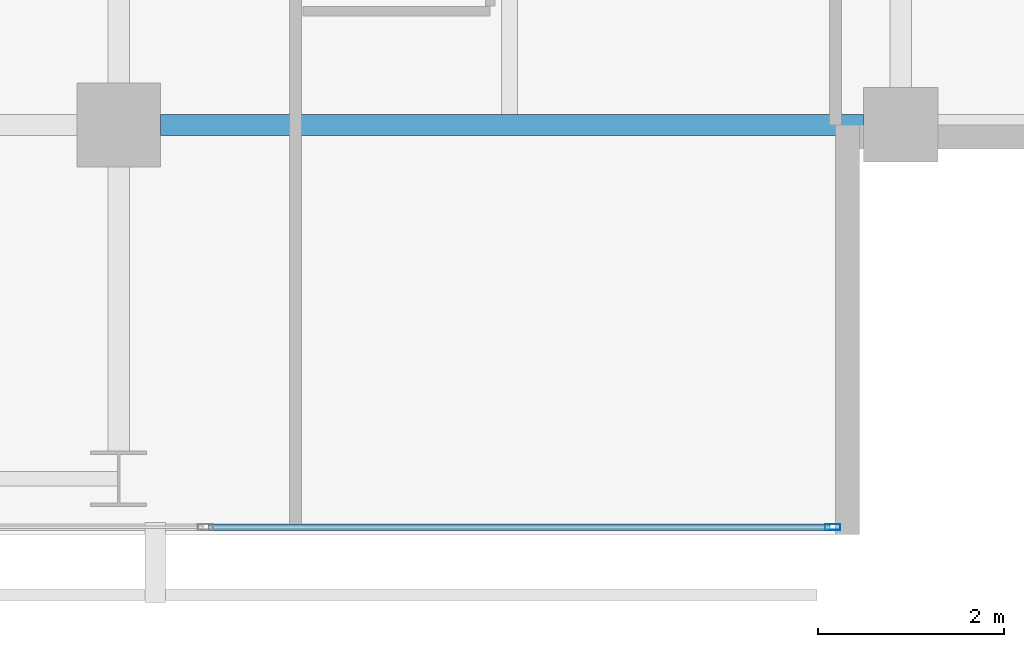
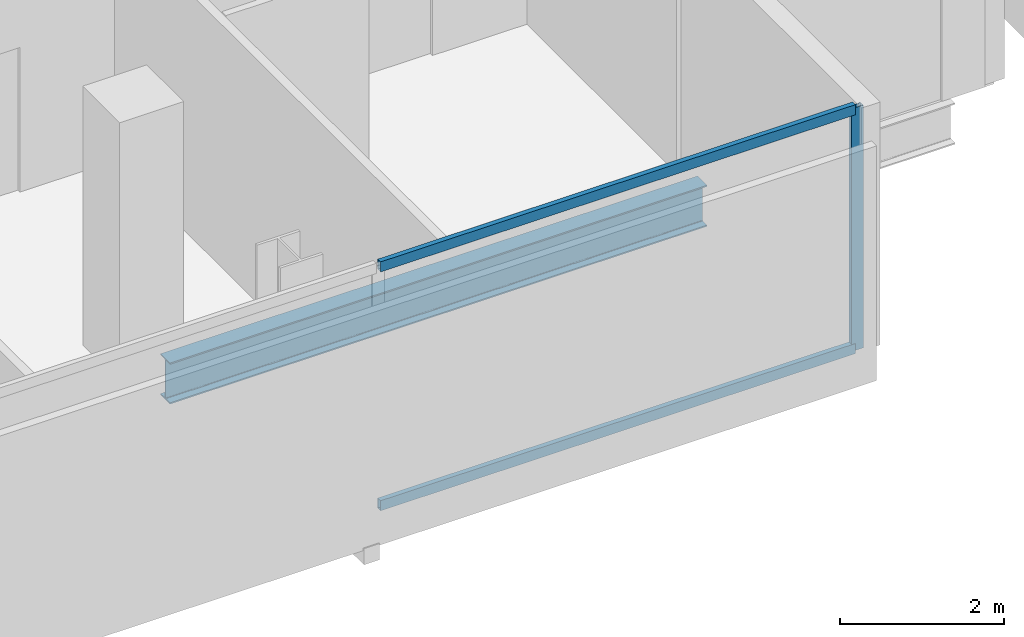
# One storey, part 13 of 34: 3 members, 1 beam, 1 element without a shape of its own.
"""IFC4 building model written with IfcOpenShell, lengths in metres."""

from ifc_helpers import new_model, si_unit, direction, frame, origin, origin_2d, place, context, subcontext, project, spatial, hollow_rectangle, i_section, extrude, material, layer, layer_set, material_profile, profile_set, type_object, element, aggregate, save


model = new_model("IFC4")

# Units and contexts
model_context = context("Model", 3, precision=1e-05, world=origin(), true_north=direction((0.0, 1.0)))
body_context = subcontext(model_context, "Body", "Model", "MODEL_VIEW")
ifc_project = project(units=[si_unit("LENGTHUNIT", "METRE"), si_unit("AREAUNIT", "SQUARE_METRE"), si_unit("VOLUMEUNIT", "CUBIC_METRE"), si_unit("PLANEANGLEUNIT", "RADIAN"), si_unit("MASSUNIT", "GRAM", prefix="KILO")], contexts=[model_context])

# Site, building, storey
site_placement = place(None, origin())
site = spatial("IfcSite", under=ifc_project, at=site_placement, CompositionType="ELEMENT")
building_placement = place(site_placement, origin())
building = spatial("IfcBuilding", under=site, at=building_placement, Name="Maruvema Waterfront Hotel and Observation Tower", CompositionType="ELEMENT")
storey_placement = place(building_placement, frame((0.0, 0.0, 131.25)))
storey = spatial("IfcBuildingStorey", under=building, at=storey_placement, Name="L31", CompositionType="ELEMENT", Elevation=131.25)

# Curtain wall, members
ifc_material_1 = material(Name="Anodised bronze aluminium and solar-control low-E IGU", Category="aluminium")
ifc_layer = layer(ifc_material_1, 0.159912109375, Name="Zone 2 Amber Inner Thermal Curtain Wall System CW-03")
ifc_layer_set = layer_set([ifc_layer], Name="Anodised bronze aluminium and solar-control low-E IGU")
curtain_wall_type = type_object("IfcCurtainWallType", Name="Zone 2 Amber Inner Thermal Curtain Wall System CW-03", PredefinedType="USERDEFINED", material=ifc_layer_set)
curtain_wall_placement = place(storey_placement, origin())
curtain_wall = element("IfcCurtainWall", 1, at=curtain_wall_placement, inside=storey, type_object=curtain_wall_type, Name="L31 Curtain Wall CW-L31-S", ObjectType="UNITISED CURTAIN WALL", PredefinedType="USERDEFINED")
ifc_material_2 = material(Name="Anodised architectural bronze aluminium", Category="aluminium")
ifc_material_profile_1 = material_profile(ifc_material_2, hollow_rectangle(XDim=0.070068359375, YDim=0.14990234375, WallThickness=0.00390625, at=origin_2d()), Name="ALU-T70x150")
ifc_profile_set_1 = profile_set([ifc_material_profile_1], Name="Anodised architectural bronze aluminium")
member_type_1 = type_object("IfcMemberType", Name="Curtain Wall Horizontal Transom ALU-T70x150", PredefinedType="USERDEFINED", material=ifc_profile_set_1)
member_1_placement = place(storey_placement, frame((51.36328125, 4.679931640625, 0.030029296875), z_axis=(1.0, 0.0, 0.0), x_axis=(0.0, 1.0, 0.0)))
member_1 = element("IfcMember", 2, at=member_1_placement, type_object=member_type_1, Name="CW-03 transom 6.1", ObjectType="TRANSOM", PredefinedType="USERDEFINED", context=body_context, shape_type="SweptSolid", body=[
    extrude(hollow_rectangle(XDim=0.070068359375, YDim=0.14990234375, WallThickness=0.00390625, at=origin_2d()), origin(), (0.0, 0.0, 1.0), 6.6767578125),
])
member_2_placement = place(storey_placement, frame((51.36328125, 4.679931640625, 3.580078125), z_axis=(1.0, 0.0, 0.0), x_axis=(0.0, 1.0, 0.0)))
member_2 = element("IfcMember", 3, at=member_2_placement, type_object=member_type_1, Name="CW-03 transom 6.2", ObjectType="TRANSOM", PredefinedType="USERDEFINED", context=body_context, shape_type="SweptSolid", body=[
    extrude(hollow_rectangle(XDim=0.070068359375, YDim=0.14990234375, WallThickness=0.00390625, at=origin_2d()), origin(), (0.0, 0.0, 1.0), 6.6767578125),
])
ifc_material_3 = material(Name="Anodised architectural bronze aluminium", Category="aluminium")
ifc_material_profile_2 = material_profile(ifc_material_3, hollow_rectangle(XDim=0.06494140625, YDim=0.1650390625, WallThickness=0.00390625, at=origin_2d()), Name="ALU-M65x165")
ifc_profile_set_2 = profile_set([ifc_material_profile_2], Name="Anodised architectural bronze aluminium")
member_type_2 = type_object("IfcMemberType", Name="Curtain Wall Primary Mullion ALU-M65x165", PredefinedType="MULLION", material=ifc_profile_set_2)
member_3_placement = place(storey_placement, frame((58.070068359375, 4.679931640625, 0.0), z_axis=(0.0, 0.0, 1.0), x_axis=(0.0, 1.0, 0.0)))
member_3 = element("IfcMember", 4, at=member_3_placement, type_object=member_type_2, Name="CW-03 mullion 7", PredefinedType="MULLION", context=body_context, shape_type="SweptSolid", body=[
    extrude(hollow_rectangle(XDim=0.06494140625, YDim=0.1650390625, WallThickness=0.00390625, at=origin_2d()), origin(), (0.0, 0.0, 1.0), 3.610107421875),
])
aggregate(curtain_wall, [member_3, member_1, member_2])

# Beam
ifc_material_4 = material(Name="Steel ASTM A572 Grade 50", Category="steel")
ifc_material_profile_3 = material_profile(ifc_material_4, i_section(OverallWidth=0.22900390625, OverallDepth=0.612060546875, WebThickness=0.011962890625, FlangeThickness=0.01953125, FilletRadius=0.01806640625, at=origin_2d()), Name="W610x125.0")
ifc_profile_set_3 = profile_set([ifc_material_profile_3], Name="Steel ASTM A572 Grade 50")
beam_type = type_object("IfcBeamType", Name="Primary Floor Girder W610x125.0", PredefinedType="BEAM", material=ifc_profile_set_3)
beam_placement = place(storey_placement, frame((50.85009765625, 9.0, -0.5458984375), z_axis=(1.0, 0.0, 0.0), x_axis=(0.0, 1.0, 0.0)))
element("IfcBeam", 5, at=beam_placement, inside=storey, type_object=beam_type, Name="L31 Floor Girder EW-09", PredefinedType="BEAM", context=body_context, shape_type="SweptSolid", body=[
    extrude(i_section(OverallWidth=0.22900390625, OverallDepth=0.612060546875, WebThickness=0.011962890625, FlangeThickness=0.01953125, FilletRadius=0.01806640625, at=origin_2d()), origin(), (0.0, 0.0, 1.0), 7.5498046875),
])

save(model, "model.ifc")
